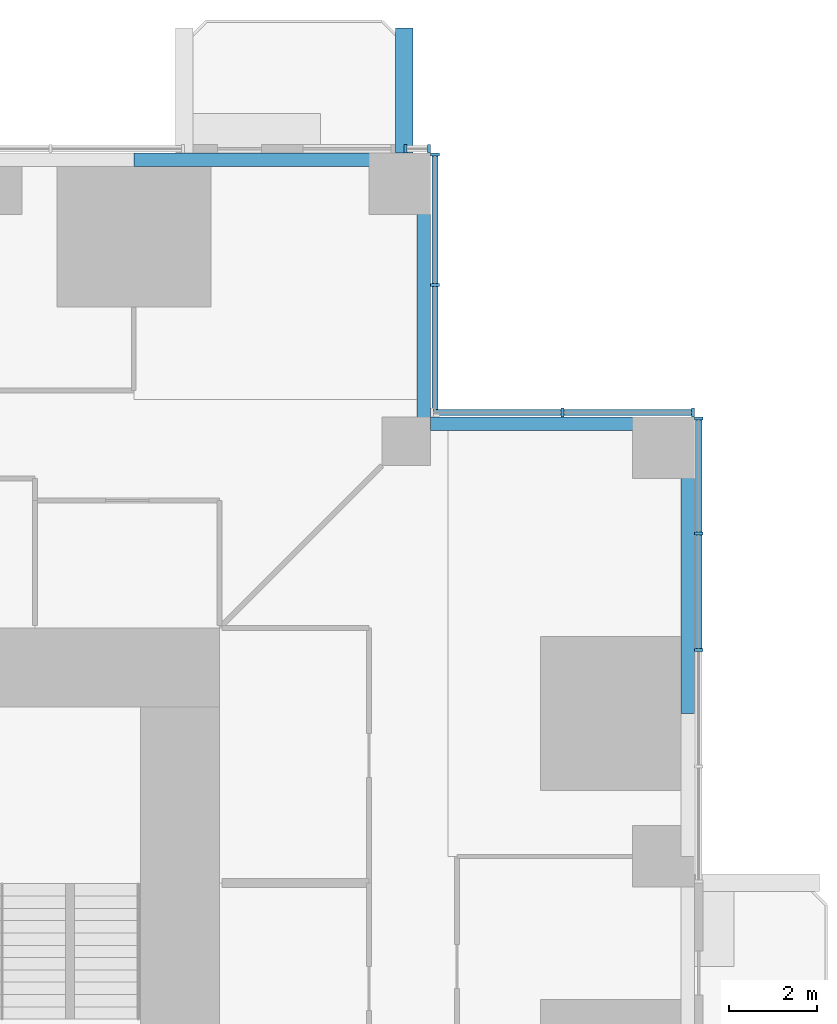
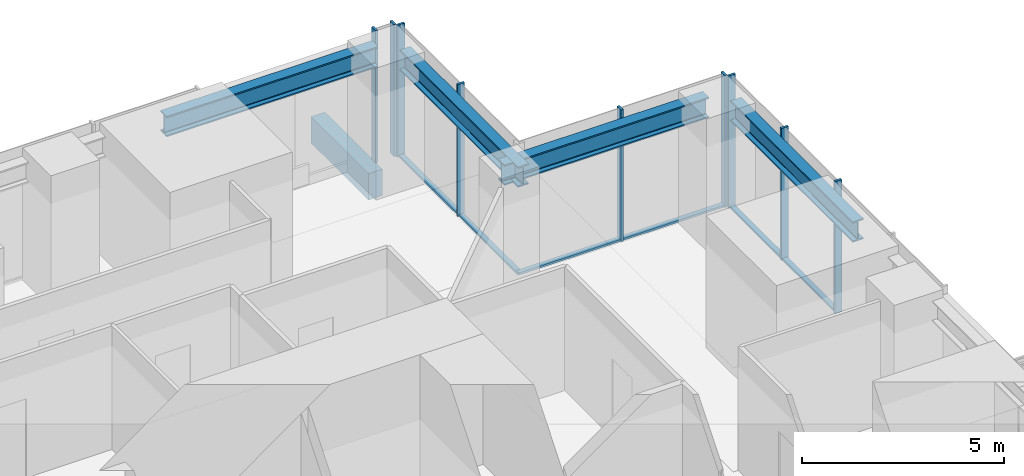
# One storey, part 6 of 18: 15 members, 5 beams, 4 elements without a shape of their own.
"""IFC4 building model written with IfcOpenShell, lengths in metres."""

from ifc_helpers import new_model, si_unit, direction, frame, origin, origin_2d, place, context, subcontext, project, spatial, rectangle, i_section, extrude, material, material_profile, profile_set, type_object, element, aggregate, save


model = new_model("IFC4")

# Units and contexts
model_context = context("Model", 3, precision=1e-05, world=origin(), true_north=direction((0.0, 1.0)))
body_context = subcontext(model_context, "Body", "Model", "MODEL_VIEW")
ifc_project = project(units=[si_unit("LENGTHUNIT", "METRE"), si_unit("AREAUNIT", "SQUARE_METRE"), si_unit("VOLUMEUNIT", "CUBIC_METRE"), si_unit("PLANEANGLEUNIT", "RADIAN"), si_unit("MASSUNIT", "GRAM", prefix="KILO")], contexts=[model_context])

# Site, building, storey
site_placement = place(None, origin())
site = spatial("IfcSite", under=ifc_project, at=site_placement, CompositionType="ELEMENT")
building_placement = place(site_placement, origin())
building = spatial("IfcBuilding", under=site, at=building_placement, Name="Svetlomir Tower", CompositionType="ELEMENT")
storey_placement = place(building_placement, frame((0.0, 0.0, 46.5)))
storey = spatial("IfcBuildingStorey", under=building, at=storey_placement, Name="L10", CompositionType="ELEMENT", Elevation=46.5)

# Beam
ifc_material_1 = material(Name="Concrete C60/75", Category="concrete")
ifc_material_profile_1 = material_profile(ifc_material_1, rectangle(XDim=0.39990234375, YDim=0.800048828125, at=origin_2d()), Name="RC 400x800")
ifc_profile_set_1 = profile_set([ifc_material_profile_1], Name="Concrete C60/75")
beam_type_1 = type_object("IfcBeamType", Name="BALCONY RIB RC 400x800", PredefinedType="BEAM", material=ifc_profile_set_1)
beam_placement = place(storey_placement, frame((35.39990234375, 42.0, -0.64990234375), z_axis=(0.0, 1.0, 0.0), x_axis=(-1.0, 0.0, 0.0)))
element("IfcBeam", 1, at=beam_placement, inside=storey, type_object=beam_type_1, Name="Balcony rib N 2 L10", PredefinedType="BEAM", context=body_context, shape_type="SweptSolid", body=[
    extrude(rectangle(XDim=0.39990234375, YDim=0.800048828125, at=origin_2d()), origin(), (0.0, 0.0, 1.0), 2.85009765625),
])

# Curtain wall, members
ifc_material_2 = material(Name="Bronze anodised aluminium curtain wall", Category="aluminium")
curtain_wall_type = type_object("IfcCurtainWallType", Name="CURTAIN WALL CW1 TOWER OFFICE", PredefinedType="NOTDEFINED", material=ifc_material_2)
curtain_wall_1_placement = place(storey_placement, origin())
curtain_wall_1 = element("IfcCurtainWall", 2, at=curtain_wall_1_placement, inside=storey, type_object=curtain_wall_type, Name="Curtain wall CW1 L10", PredefinedType="NOTDEFINED")
ifc_material_3 = material(Name="Bronze anodised aluminium", Category="aluminium")
ifc_material_profile_2 = material_profile(ifc_material_3, rectangle(XDim=0.06494140625, YDim=0.199951171875, at=origin_2d()), Name="AL 65x200")
ifc_profile_set_2 = profile_set([ifc_material_profile_2], Name="Bronze anodised aluminium 6063-T6")
member_type_1 = type_object("IfcMemberType", Name="CW1 MULLION 65x200", PredefinedType="MULLION", material=ifc_profile_set_2)
member_1_placement = place(storey_placement, frame((42.10009765625, 30.699951171875, 0.0), z_axis=(0.0, 0.0, 1.0), x_axis=(0.0, 1.0, 0.0)))
member_1 = element("IfcMember", 3, at=member_1_placement, type_object=member_type_1, Name="CW1 mullion 3", PredefinedType="MULLION", context=body_context, shape_type="SweptSolid", body=[
    extrude(rectangle(XDim=0.06494140625, YDim=0.199951171875, at=origin_2d()), origin(), (0.0, 0.0, 1.0), 4.0),
])
member_2_placement = place(storey_placement, frame((42.10009765625, 33.35009765625, 0.0), z_axis=(0.0, 0.0, 1.0), x_axis=(0.0, 1.0, 0.0)))
member_2 = element("IfcMember", 4, at=member_2_placement, type_object=member_type_1, Name="CW1 mullion 4", PredefinedType="MULLION", context=body_context, shape_type="SweptSolid", body=[
    extrude(rectangle(XDim=0.06494140625, YDim=0.199951171875, at=origin_2d()), origin(), (0.0, 0.0, 1.0), 4.0),
])
member_3_placement = place(storey_placement, frame((42.10009765625, 35.967529296875, 0.0), z_axis=(0.0, 0.0, 1.0), x_axis=(0.0, 1.0, 0.0)))
member_3 = element("IfcMember", 5, at=member_3_placement, type_object=member_type_1, Name="CW1 mullion 5", PredefinedType="MULLION", context=body_context, shape_type="SweptSolid", body=[
    extrude(rectangle(XDim=0.06494140625, YDim=0.199951171875, at=origin_2d()), origin(), (0.0, 0.0, 1.0), 4.0),
])

curtain_wall_2_placement = place(storey_placement, origin())
curtain_wall_2 = element("IfcCurtainWall", 6, at=curtain_wall_2_placement, inside=storey, type_object=curtain_wall_type, Name="Curtain wall CW1 L10", PredefinedType="NOTDEFINED")
member_4_placement = place(storey_placement, frame((41.967529296875, 36.10009765625, 0.0), z_axis=(0.0, 0.0, 1.0), x_axis=(-1.0, 0.0, 0.0)))
member_4 = element("IfcMember", 7, at=member_4_placement, type_object=member_type_1, Name="CW1 mullion 1", PredefinedType="MULLION", context=body_context, shape_type="SweptSolid", body=[
    extrude(rectangle(XDim=0.06494140625, YDim=0.199951171875, at=origin_2d()), origin(), (0.0, 0.0, 1.0), 4.0),
])
member_5_placement = place(storey_placement, frame((39.0, 36.10009765625, 0.0), z_axis=(0.0, 0.0, 1.0), x_axis=(-1.0, 0.0, 0.0)))
member_5 = element("IfcMember", 8, at=member_5_placement, type_object=member_type_1, Name="CW1 mullion 2", PredefinedType="MULLION", context=body_context, shape_type="SweptSolid", body=[
    extrude(rectangle(XDim=0.06494140625, YDim=0.199951171875, at=origin_2d()), origin(), (0.0, 0.0, 1.0), 4.0),
])

curtain_wall_3_placement = place(storey_placement, origin())
curtain_wall_3 = element("IfcCurtainWall", 9, at=curtain_wall_3_placement, inside=storey, type_object=curtain_wall_type, Name="Curtain wall CW1 L10", PredefinedType="NOTDEFINED")
member_6_placement = place(storey_placement, frame((36.10009765625, 39.0, 0.0), z_axis=(0.0, 0.0, 1.0), x_axis=(0.0, 1.0, 0.0)))
member_6 = element("IfcMember", 10, at=member_6_placement, type_object=member_type_1, Name="CW1 mullion 2", PredefinedType="MULLION", context=body_context, shape_type="SweptSolid", body=[
    extrude(rectangle(XDim=0.06494140625, YDim=0.199951171875, at=origin_2d()), origin(), (0.0, 0.0, 1.0), 4.0),
])
member_7_placement = place(storey_placement, frame((36.10009765625, 41.967529296875, 0.0), z_axis=(0.0, 0.0, 1.0), x_axis=(0.0, 1.0, 0.0)))
member_7 = element("IfcMember", 11, at=member_7_placement, type_object=member_type_1, Name="CW1 mullion 3", PredefinedType="MULLION", context=body_context, shape_type="SweptSolid", body=[
    extrude(rectangle(XDim=0.06494140625, YDim=0.199951171875, at=origin_2d()), origin(), (0.0, 0.0, 1.0), 4.0),
])

curtain_wall_4_placement = place(storey_placement, origin())
curtain_wall_4 = element("IfcCurtainWall", 12, at=curtain_wall_4_placement, inside=storey, type_object=curtain_wall_type, Name="Curtain wall CW1 L10", PredefinedType="NOTDEFINED")
member_8_placement = place(storey_placement, frame((35.967529296875, 42.10009765625, 0.0), z_axis=(0.0, 0.0, 1.0), x_axis=(-1.0, 0.0, 0.0)))
member_8 = element("IfcMember", 13, at=member_8_placement, type_object=member_type_1, Name="CW1 mullion 1", PredefinedType="MULLION", context=body_context, shape_type="SweptSolid", body=[
    extrude(rectangle(XDim=0.06494140625, YDim=0.199951171875, at=origin_2d()), origin(), (0.0, 0.0, 1.0), 4.0),
])
member_9_placement = place(storey_placement, frame((35.4326171875, 42.10009765625, 0.0), z_axis=(0.0, 0.0, 1.0), x_axis=(-1.0, 0.0, 0.0)))
member_9 = element("IfcMember", 14, at=member_9_placement, type_object=member_type_1, Name="CW1 mullion 2", PredefinedType="MULLION", context=body_context, shape_type="SweptSolid", body=[
    extrude(rectangle(XDim=0.06494140625, YDim=0.199951171875, at=origin_2d()), origin(), (0.0, 0.0, 1.0), 4.0),
])
aggregate(curtain_wall_4, [member_8, member_9])

# Member
ifc_material_4 = material(Name="Bronze anodised aluminium", Category="aluminium")
ifc_material_profile_3 = material_profile(ifc_material_4, rectangle(XDim=0.139892578125, YDim=0.06494140625, at=origin_2d()), Name="AL 140x65")
ifc_profile_set_3 = profile_set([ifc_material_profile_3], Name="Bronze anodised aluminium 6063-T6")
member_type_2 = type_object("IfcMemberType", Name="CW1 TRANSOM 65x140", PredefinedType="USERDEFINED", material=ifc_profile_set_3)
member_10_placement = place(storey_placement, frame((42.10009765625, 30.732421875, 0.032470703125), z_axis=(0.0, 1.0, 0.0), x_axis=(-1.0, 0.0, 0.0)))
member_10 = element("IfcMember", 15, at=member_10_placement, type_object=member_type_2, Name="CW1 transom 3.1", ObjectType="TRANSOM", PredefinedType="USERDEFINED", context=body_context, shape_type="SweptSolid", body=[
    extrude(rectangle(XDim=0.139892578125, YDim=0.06494140625, at=origin_2d()), origin(), (0.0, 0.0, 1.0), 2.5849609375),
])

member_11_placement = place(storey_placement, frame((42.10009765625, 33.382568359375, 0.032470703125), z_axis=(0.0, 1.0, 0.0), x_axis=(-1.0, 0.0, 0.0)))
member_11 = element("IfcMember", 16, at=member_11_placement, type_object=member_type_2, Name="CW1 transom 4.1", ObjectType="TRANSOM", PredefinedType="USERDEFINED", context=body_context, shape_type="SweptSolid", body=[
    extrude(rectangle(XDim=0.139892578125, YDim=0.06494140625, at=origin_2d()), origin(), (0.0, 0.0, 1.0), 2.552490234375),
])

aggregate(curtain_wall_1, [member_1, member_2, member_3, member_10, member_11])

member_12_placement = place(storey_placement, frame((41.93505859375, 36.10009765625, 0.032470703125), z_axis=(-1.0, 0.0, 0.0), x_axis=(0.0, -1.0, 0.0)))
member_12 = element("IfcMember", 17, at=member_12_placement, type_object=member_type_2, Name="CW1 transom 1.1", ObjectType="TRANSOM", PredefinedType="USERDEFINED", context=body_context, shape_type="SweptSolid", body=[
    extrude(rectangle(XDim=0.139892578125, YDim=0.06494140625, at=origin_2d()), origin(), (0.0, 0.0, 1.0), 2.902587890625),
])

member_13_placement = place(storey_placement, frame((38.967529296875, 36.10009765625, 0.032470703125), z_axis=(-1.0, 0.0, 0.0), x_axis=(0.0, -1.0, 0.0)))
member_13 = element("IfcMember", 18, at=member_13_placement, type_object=member_type_2, Name="CW1 transom 2.1", ObjectType="TRANSOM", PredefinedType="USERDEFINED", context=body_context, shape_type="SweptSolid", body=[
    extrude(rectangle(XDim=0.139892578125, YDim=0.06494140625, at=origin_2d()), origin(), (0.0, 0.0, 1.0), 2.902587890625),
])

aggregate(curtain_wall_2, [member_4, member_5, member_12, member_13])

member_14_placement = place(storey_placement, frame((36.10009765625, 36.06494140625, 0.032470703125), z_axis=(0.0, 1.0, 0.0), x_axis=(-1.0, 0.0, 0.0)))
member_14 = element("IfcMember", 19, at=member_14_placement, type_object=member_type_2, Name="CW1 transom 1.1", ObjectType="TRANSOM", PredefinedType="USERDEFINED", context=body_context, shape_type="SweptSolid", body=[
    extrude(rectangle(XDim=0.139892578125, YDim=0.06494140625, at=origin_2d()), origin(), (0.0, 0.0, 1.0), 2.902587890625),
])

member_15_placement = place(storey_placement, frame((36.10009765625, 39.032470703125, 0.032470703125), z_axis=(0.0, 1.0, 0.0), x_axis=(-1.0, 0.0, 0.0)))
member_15 = element("IfcMember", 20, at=member_15_placement, type_object=member_type_2, Name="CW1 transom 2.1", ObjectType="TRANSOM", PredefinedType="USERDEFINED", context=body_context, shape_type="SweptSolid", body=[
    extrude(rectangle(XDim=0.139892578125, YDim=0.06494140625, at=origin_2d()), origin(), (0.0, 0.0, 1.0), 2.902587890625),
])

aggregate(curtain_wall_3, [member_6, member_7, member_14, member_15])

# Beams
ifc_material_5 = material(Name="Steel S355", Category="steel")
ifc_material_profile_4 = material_profile(ifc_material_5, i_section(OverallWidth=0.304931640625, OverallDepth=0.6201171875, WebThickness=0.02099609375, FlangeThickness=0.0400390625, FilletRadius=0.027099609375, at=origin_2d()), Name="HEM 600")
ifc_profile_set_4 = profile_set([ifc_material_profile_4], Name="Steel S355")
beam_type_2 = type_object("IfcBeamType", Name="EDGE BEAM HEM 600", PredefinedType="SPANDREL", material=ifc_profile_set_4)
for number, where, z_axis, x_axis, name in (
    (21, (41.847412109375, 29.25, 3.43994140625), (0.0, 1.0, 0.0), (-1.0, 0.0, 0.0), "Edge beam 42/31 to 42/36 under L11"),
    (22, (29.25, 41.847412109375, 3.43994140625), (1.0, 0.0, 0.0), (0.0, 1.0, 0.0), "Edge beam 31/42 to 36/42 under L11"),
):
    element("IfcBeam", number, at=place(storey_placement, frame(where, z_axis=z_axis, x_axis=x_axis)), inside=storey, type_object=beam_type_2, Name=name, PredefinedType="SPANDREL", context=body_context, shape_type="SweptSolid", body=[
        extrude(i_section(OverallWidth=0.304931640625, OverallDepth=0.6201171875, WebThickness=0.02099609375, FlangeThickness=0.0400390625, FilletRadius=0.027099609375, at=origin_2d()), origin(), (0.0, 0.0, 1.0), 6.050048828125),
    ])
for number, where, z_axis, x_axis, name in (
    (23, (35.847412109375, 41.300048828125, 3.43994140625), (0.0, -1.0, 0.0), (1.0, 0.0, 0.0), "Edge beam 36/42 to 36/36 under L11"),
    (24, (41.300048828125, 35.847412109375, 3.43994140625), (-1.0, 0.0, 0.0), (0.0, -1.0, 0.0), "Edge beam 42/36 to 36/36 under L11"),
):
    element("IfcBeam", number, at=place(storey_placement, frame(where, z_axis=z_axis, x_axis=x_axis)), inside=storey, type_object=beam_type_2, Name=name, PredefinedType="SPANDREL", context=body_context, shape_type="SweptSolid", body=[
        extrude(i_section(OverallWidth=0.304931640625, OverallDepth=0.6201171875, WebThickness=0.02099609375, FlangeThickness=0.0400390625, FilletRadius=0.027099609375, at=origin_2d()), origin(), (0.0, 0.0, 1.0), 5.85009765625),
    ])

save(model, "model.ifc")
